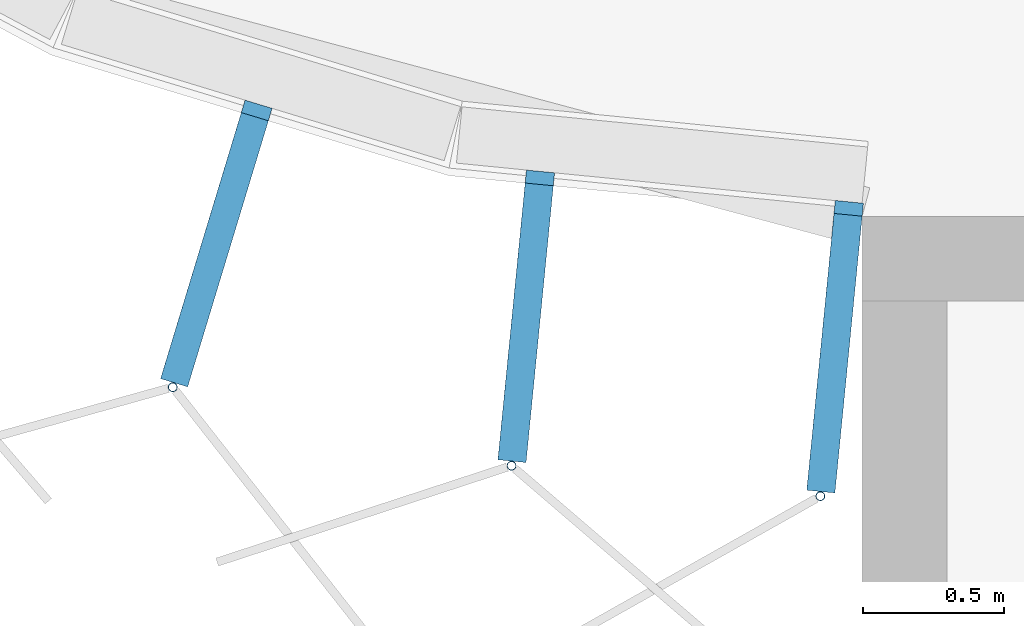
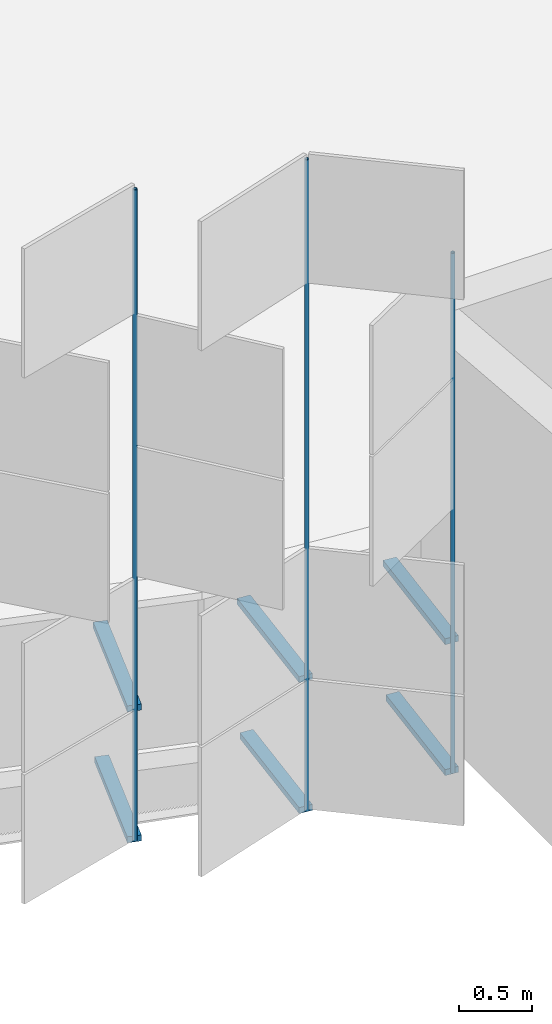
# One storey, part 170 of 483: 9 discrete accessories.
"""IFC4 building model written with IfcOpenShell, lengths in metres."""

from ifc_helpers import new_model, si_unit, direction, frame, origin, origin_2d, place, context, subcontext, project, spatial, rectangle, hollow_circle, extrude, material, material_profile, profile_set, type_object, element, save


model = new_model("IFC4")

# Units and contexts
model_context = context("Model", 3, precision=1e-05, world=origin(), true_north=direction((0.0, 1.0)))
body_context = subcontext(model_context, "Body", "Model", "MODEL_VIEW")
ifc_project = project(units=[si_unit("LENGTHUNIT", "METRE"), si_unit("AREAUNIT", "SQUARE_METRE"), si_unit("VOLUMEUNIT", "CUBIC_METRE"), si_unit("PLANEANGLEUNIT", "RADIAN"), si_unit("MASSUNIT", "GRAM", prefix="KILO")], contexts=[model_context])

# Site, building, storey
site_placement = place(None, origin())
site = spatial("IfcSite", under=ifc_project, at=site_placement, CompositionType="ELEMENT")
building_placement = place(site_placement, origin())
building = spatial("IfcBuilding", under=site, at=building_placement, Name="Parallax Yard Mobility Hub", CompositionType="ELEMENT")
storey_placement = place(building_placement, frame((0.0, 0.0, 13.199951171875)))
storey = spatial("IfcBuildingStorey", under=building, at=storey_placement, Name="L04", CompositionType="ELEMENT", Elevation=13.199951171875)

# Discrete accessories
ifc_material_1 = material(Name="Steel ASTM A36, hot-dip galvanised", Category="steel")
discrete_accessory_type_1 = type_object("IfcDiscreteAccessoryType", Name="Hinge bracket plate 100x50", PredefinedType="BRACKET", material=ifc_material_1)
discrete_accessory_1_placement = place(storey_placement, frame((200.2080078125, 22.3818359375, -0.02490234375), z_axis=(0.0, 0.0, 1.0), x_axis=(-0.290284677254, -0.956940335732, 0.0)))
element("IfcDiscreteAccessory", 1, at=discrete_accessory_1_placement, inside=storey, type_object=discrete_accessory_type_1, Name="Hinge bracket plate bay 30.10 level L04", PredefinedType="BRACKET", context=body_context, shape_type="SweptSolid", body=[
    extrude(rectangle(XDim=0.984130859375, YDim=0.10009765625, at=origin_2d()), origin(), (0.0, 0.0, 1.0), 0.050048828125),
])
discrete_accessory_2_placement = place(storey_placement, frame((200.214599609375, 22.40380859375, 1.06982421875), z_axis=(0.0, 0.0, 1.0), x_axis=(-0.290284677254, -0.956940335732, 0.0)))
element("IfcDiscreteAccessory", 2, at=discrete_accessory_2_placement, inside=storey, type_object=discrete_accessory_type_1, Name="Hinge bracket plate bay 30.10 level L04", PredefinedType="BRACKET", context=body_context, shape_type="SweptSolid", body=[
    extrude(rectangle(XDim=1.030029296875, YDim=0.10009765625, at=origin_2d()), origin(), (0.0, 0.0, 1.0), 0.050048828125),
])
discrete_accessory_3_placement = place(storey_placement, frame((201.30908203125, 22.123291015625, -0.02490234375), z_axis=(0.0, 0.0, 1.0), x_axis=(-0.09801714033, -0.995184726672, 0.0)))
element("IfcDiscreteAccessory", 3, at=discrete_accessory_3_placement, inside=storey, type_object=discrete_accessory_type_1, Name="Hinge bracket plate bay 30.11 level L04", PredefinedType="BRACKET", context=body_context, shape_type="SweptSolid", body=[
    extrude(rectangle(XDim=0.984130859375, YDim=0.10009765625, at=origin_2d()), origin(), (0.0, 0.0, 1.0), 0.050048828125),
])
discrete_accessory_4_placement = place(storey_placement, frame((201.311279296875, 22.146240234375, 1.06982421875), z_axis=(0.0, 0.0, 1.0), x_axis=(-0.09801714033, -0.995184726672, 0.0)))
element("IfcDiscreteAccessory", 4, at=discrete_accessory_4_placement, inside=storey, type_object=discrete_accessory_type_1, Name="Hinge bracket plate bay 30.11 level L04", PredefinedType="BRACKET", context=body_context, shape_type="SweptSolid", body=[
    extrude(rectangle(XDim=1.030029296875, YDim=0.10009765625, at=origin_2d()), origin(), (0.0, 0.0, 1.0), 0.050048828125),
])
discrete_accessory_5_placement = place(storey_placement, frame((202.402099609375, 22.015625, -0.02490234375), z_axis=(0.0, 0.0, 1.0), x_axis=(-0.09801714033, -0.995184726672, 0.0)))
element("IfcDiscreteAccessory", 5, at=discrete_accessory_5_placement, inside=storey, type_object=discrete_accessory_type_1, Name="Hinge bracket plate bay 30.12 level L04", PredefinedType="BRACKET", context=body_context, shape_type="SweptSolid", body=[
    extrude(rectangle(XDim=0.984130859375, YDim=0.10009765625, at=origin_2d()), origin(), (0.0, 0.0, 1.0), 0.050048828125),
])
discrete_accessory_6_placement = place(storey_placement, frame((202.404296875, 22.03857421875, 1.06982421875), z_axis=(0.0, 0.0, 1.0), x_axis=(-0.09801714033, -0.995184726672, 0.0)))
element("IfcDiscreteAccessory", 6, at=discrete_accessory_6_placement, inside=storey, type_object=discrete_accessory_type_1, Name="Hinge bracket plate bay 30.12 level L04", PredefinedType="BRACKET", context=body_context, shape_type="SweptSolid", body=[
    extrude(rectangle(XDim=1.030029296875, YDim=0.10009765625, at=origin_2d()), origin(), (0.0, 0.0, 1.0), 0.050048828125),
])
ifc_material_2 = material(Name="Steel ASTM A500 Gr C, hot-dip galvanised", Category="steel")
ifc_material_profile = material_profile(ifc_material_2, hollow_circle(Radius=0.016845703125, WallThickness=0.003173828125, at=origin_2d()), Name="CHS 33.7x3.2")
ifc_profile_set = profile_set([ifc_material_profile], Name="Steel ASTM A500 Gr C, hot-dip galvanised")
discrete_accessory_type_2 = type_object("IfcDiscreteAccessoryType", Name="Hinge post CHS 33.7x3.2", PredefinedType="BRACKET", material=ifc_profile_set)
for number, where, z_axis, x_axis, name in (
    (7, (200.060302734375, 21.895263671875, 0.0), (0.0, 0.0, 1.0), (1.0, 0.0, 0.0), "Hinge post bay 30.10 level L04"),
    (8, (201.25927734375, 21.617431640625, 0.0), (0.0, 0.0, 1.0), (1.0, 0.0, 0.0), "Hinge post bay 30.11 level L04"),
):
    element("IfcDiscreteAccessory", number, at=place(storey_placement, frame(where, z_axis=z_axis, x_axis=x_axis)), inside=storey, type_object=discrete_accessory_type_2, Name=name, PredefinedType="BRACKET", context=body_context, shape_type="SweptSolid", body=[
        extrude(hollow_circle(Radius=0.016845703125, WallThickness=0.003173828125, at=origin_2d()), origin(), (0.0, 0.0, 1.0), 5.449951171875),
    ])
discrete_accessory_7_placement = place(storey_placement, frame((202.352294921875, 21.509765625, 0.0), z_axis=(0.0, 0.0, 1.0), x_axis=(1.0, 0.0, 0.0)))
element("IfcDiscreteAccessory", 9, at=discrete_accessory_7_placement, inside=storey, type_object=discrete_accessory_type_2, Name="Hinge post bay 30.12 level L04", PredefinedType="BRACKET", context=body_context, shape_type="SweptSolid", body=[
    extrude(hollow_circle(Radius=0.016845703125, WallThickness=0.003173828125, at=origin_2d()), origin(), (0.0, 0.0, 1.0), 4.35009765625),
])

save(model, "model.ifc")
